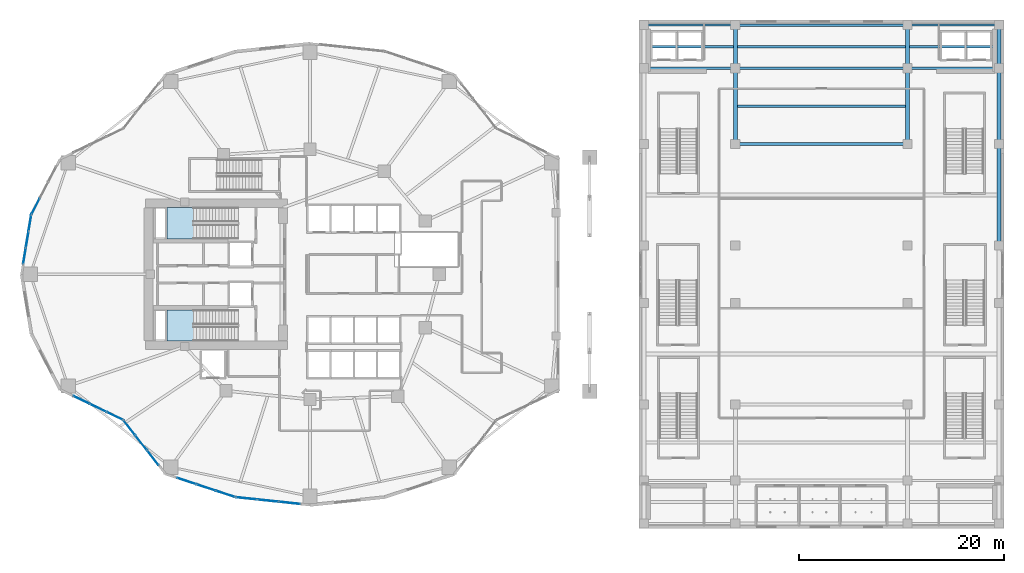
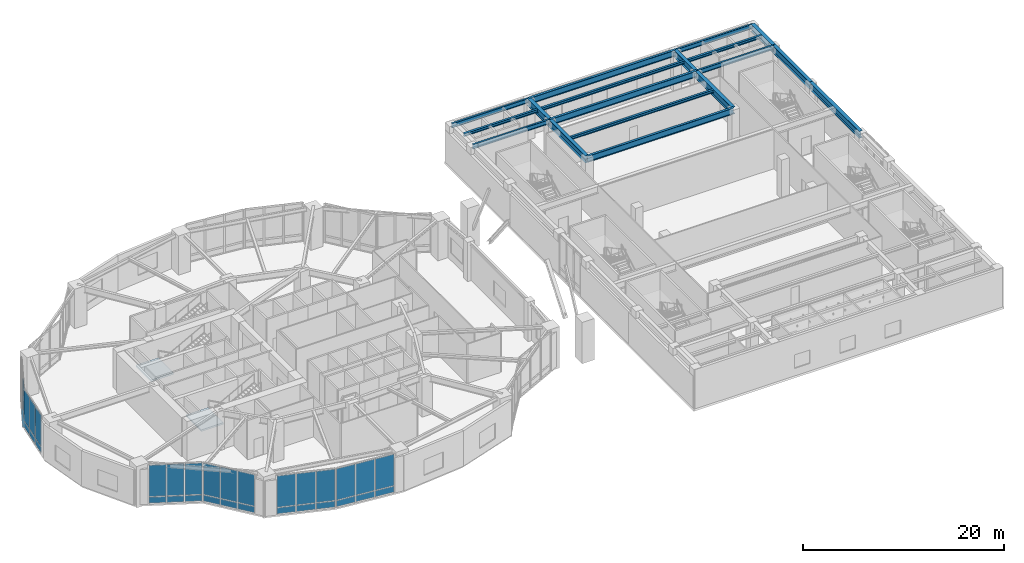
# One storey, part 10 of 24: 32 plates, 18 beams, 2 slabs, 8 elements without a shape of their own.
"""IFC4 building model written with IfcOpenShell, lengths in metres."""

from ifc_helpers import new_model, si_unit, direction, frame, origin, origin_2d, place, context, subcontext, project, spatial, polyline, rectangle, i_section, outline, extrude, material, layer, layer_set, material_profile, profile_set, type_object, element, aggregate, save


model = new_model("IFC4")

# Units and contexts
model_context = context("Model", 3, precision=1e-05, world=origin(), true_north=direction((0.0, 1.0)))
body_context = subcontext(model_context, "Body", "Model", "MODEL_VIEW")
ifc_project = project(units=[si_unit("LENGTHUNIT", "METRE"), si_unit("AREAUNIT", "SQUARE_METRE"), si_unit("VOLUMEUNIT", "CUBIC_METRE"), si_unit("PLANEANGLEUNIT", "RADIAN"), si_unit("MASSUNIT", "GRAM", prefix="KILO")], contexts=[model_context])

# Site, building, storey
site_placement = place(None, origin())
site = spatial("IfcSite", under=ifc_project, at=site_placement, CompositionType="ELEMENT")
building_placement = place(site_placement, origin())
building = spatial("IfcBuilding", under=site, at=building_placement, Name="Kolvaren Gate Tower and Convention Centre", CompositionType="ELEMENT")
storey_placement = place(building_placement, frame((0.0, 0.0, 10.0)))
storey = spatial("IfcBuildingStorey", under=building, at=storey_placement, Name="L02", CompositionType="ELEMENT", Elevation=10.0)

# Beams
ifc_material_1 = material(Name="Structural steel ASTM A992 Grade 345 MPa", Category="steel")
ifc_material_profile_1 = material_profile(ifc_material_1, i_section(OverallWidth=0.2119140625, OverallDepth=0.5439453125, WebThickness=0.01318359375, FlangeThickness=0.021240234375, at=origin_2d()), Name="W530X123")
ifc_profile_set_1 = profile_set([ifc_material_profile_1], Name="Structural steel ASTM A992 Grade 345 MPa")
beam_type_1 = type_object("IfcBeamType", Name="STR-BM-W530X123", PredefinedType="BEAM", material=ifc_profile_set_1)
for number, where, z_axis, x_axis, name in (
    (1, (62.699951171875, 47.10009765625, 4.488037109375), (1.0, 0.0, 0.0), (0.0, 1.0, 0.0), "Convention L02 Transverse Girder CTG-17"),
    (2, (88.39990234375, 47.10009765625, 4.488037109375), (1.0, 0.0, 0.0), (0.0, 1.0, 0.0), "Convention L02 Transverse Girder CTG-37"),
    (3, (62.699951171875, 51.300048828125, 4.488037109375), (1.0, 0.0, 0.0), (0.0, 1.0, 0.0), "Convention L02 Transverse Girder CTG-18"),
    (4, (88.39990234375, 51.300048828125, 4.488037109375), (1.0, 0.0, 0.0), (0.0, 1.0, 0.0), "Convention L02 Transverse Girder CTG-38"),
):
    element("IfcBeam", number, at=place(storey_placement, frame(where, z_axis=z_axis, x_axis=x_axis)), inside=storey, type_object=beam_type_1, Name=name, PredefinedType="BEAM", context=body_context, shape_type="SweptSolid", body=[
        extrude(i_section(OverallWidth=0.2119140625, OverallDepth=0.5439453125, WebThickness=0.01318359375, FlangeThickness=0.021240234375, at=origin_2d()), origin(), (0.0, 0.0, 1.0), 8.900146484375),
    ])
ifc_material_profile_2 = material_profile(ifc_material_1, i_section(OverallWidth=0.26806640625, OverallDepth=0.758056640625, WebThickness=0.016357421875, FlangeThickness=0.025390625, at=origin_2d()), Name="W760X220")
ifc_profile_set_2 = profile_set([ifc_material_profile_2], Name="Structural steel ASTM A992 Grade 345 MPa")
beam_type_2 = type_object("IfcBeamType", Name="STR-BM-W760X220", PredefinedType="BEAM", material=ifc_profile_set_2)
for number, where, z_axis, x_axis, name in (
    (5, (71.60009765625, 39.699951171875, 4.381103515625), (1.0, 0.0, 0.0), (0.0, 1.0, 0.0), "Convention L02 Transverse Girder CTG-26"),
    (6, (71.60009765625, 47.10009765625, 4.381103515625), (1.0, 0.0, 0.0), (0.0, 1.0, 0.0), "Convention L02 Transverse Girder CTG-27"),
    (7, (71.60009765625, 51.300048828125, 4.381103515625), (1.0, 0.0, 0.0), (0.0, 1.0, 0.0), "Convention L02 Transverse Girder CTG-28"),
):
    element("IfcBeam", number, at=place(storey_placement, frame(where, z_axis=z_axis, x_axis=x_axis)), inside=storey, type_object=beam_type_2, Name=name, PredefinedType="BEAM", context=body_context, shape_type="SweptSolid", body=[
        extrude(i_section(OverallWidth=0.26806640625, OverallDepth=0.758056640625, WebThickness=0.016357421875, FlangeThickness=0.025390625, at=origin_2d()), origin(), (0.0, 0.0, 1.0), 16.7998046875),
    ])
ifc_material_profile_3 = material_profile(ifc_material_1, i_section(OverallWidth=0.39990234375, OverallDepth=0.85498046875, WebThickness=0.018310546875, FlangeThickness=0.029296875, at=origin_2d()), Name="W840X299")
ifc_profile_set_3 = profile_set([ifc_material_profile_3], Name="Structural steel ASTM A992 Grade 345 MPa")
beam_type_3 = type_object("IfcBeamType", Name="STR-BM-W840X299", PredefinedType="BEAM", material=ifc_profile_set_3)
beam_1_placement = place(storey_placement, frame((71.60009765625, 39.699951171875, 4.33251953125), z_axis=(0.0, 1.0, 0.0), x_axis=(-1.0, 0.0, 0.0)))
element("IfcBeam", 8, at=beam_1_placement, inside=storey, type_object=beam_type_3, Name="Convention L02 Longitudinal Girder CG-26", PredefinedType="BEAM", context=body_context, shape_type="SweptSolid", body=[
    extrude(i_section(OverallWidth=0.39990234375, OverallDepth=0.85498046875, WebThickness=0.018310546875, FlangeThickness=0.029296875, at=origin_2d()), origin(), (0.0, 0.0, 1.0), 7.400146484375),
])
beam_2_placement = place(storey_placement, frame((71.60009765625, 47.10009765625, 4.33251953125), z_axis=(0.0, 1.0, 0.0), x_axis=(-1.0, 0.0, 0.0)))
element("IfcBeam", 9, at=beam_2_placement, inside=storey, type_object=beam_type_3, Name="Convention L02 Longitudinal Girder CG-27", PredefinedType="BEAM", context=body_context, shape_type="SweptSolid", body=[
    extrude(i_section(OverallWidth=0.39990234375, OverallDepth=0.85498046875, WebThickness=0.018310546875, FlangeThickness=0.029296875, at=origin_2d()), origin(), (0.0, 0.0, 1.0), 4.199951171875),
])
beam_3_placement = place(storey_placement, frame((88.39990234375, 39.699951171875, 4.33251953125), z_axis=(0.0, 1.0, 0.0), x_axis=(-1.0, 0.0, 0.0)))
element("IfcBeam", 10, at=beam_3_placement, inside=storey, type_object=beam_type_3, Name="Convention L02 Longitudinal Girder CG-36", PredefinedType="BEAM", context=body_context, shape_type="SweptSolid", body=[
    extrude(i_section(OverallWidth=0.39990234375, OverallDepth=0.85498046875, WebThickness=0.018310546875, FlangeThickness=0.029296875, at=origin_2d()), origin(), (0.0, 0.0, 1.0), 7.400146484375),
])
beam_4_placement = place(storey_placement, frame((88.39990234375, 47.10009765625, 4.33251953125), z_axis=(0.0, 1.0, 0.0), x_axis=(-1.0, 0.0, 0.0)))
element("IfcBeam", 11, at=beam_4_placement, inside=storey, type_object=beam_type_3, Name="Convention L02 Longitudinal Girder CG-37", PredefinedType="BEAM", context=body_context, shape_type="SweptSolid", body=[
    extrude(i_section(OverallWidth=0.39990234375, OverallDepth=0.85498046875, WebThickness=0.018310546875, FlangeThickness=0.029296875, at=origin_2d()), origin(), (0.0, 0.0, 1.0), 4.199951171875),
])
beam_5_placement = place(storey_placement, frame((97.300048828125, 29.800048828125, 4.33251953125), z_axis=(0.0, 1.0, 0.0), x_axis=(-1.0, 0.0, 0.0)))
element("IfcBeam", 12, at=beam_5_placement, inside=storey, type_object=beam_type_3, Name="Convention L02 Longitudinal Girder CG-45", PredefinedType="BEAM", context=body_context, shape_type="SweptSolid", body=[
    extrude(i_section(OverallWidth=0.39990234375, OverallDepth=0.85498046875, WebThickness=0.018310546875, FlangeThickness=0.029296875, at=origin_2d()), origin(), (0.0, 0.0, 1.0), 9.89990234375),
])
beam_6_placement = place(storey_placement, frame((97.300048828125, 39.699951171875, 4.33251953125), z_axis=(0.0, 1.0, 0.0), x_axis=(-1.0, 0.0, 0.0)))
element("IfcBeam", 13, at=beam_6_placement, inside=storey, type_object=beam_type_3, Name="Convention L02 Longitudinal Girder CG-46", PredefinedType="BEAM", context=body_context, shape_type="SweptSolid", body=[
    extrude(i_section(OverallWidth=0.39990234375, OverallDepth=0.85498046875, WebThickness=0.018310546875, FlangeThickness=0.029296875, at=origin_2d()), origin(), (0.0, 0.0, 1.0), 7.400146484375),
])
beam_7_placement = place(storey_placement, frame((97.300048828125, 47.10009765625, 4.33251953125), z_axis=(0.0, 1.0, 0.0), x_axis=(-1.0, 0.0, 0.0)))
element("IfcBeam", 14, at=beam_7_placement, inside=storey, type_object=beam_type_3, Name="Convention L02 Longitudinal Girder CG-47", PredefinedType="BEAM", context=body_context, shape_type="SweptSolid", body=[
    extrude(i_section(OverallWidth=0.39990234375, OverallDepth=0.85498046875, WebThickness=0.018310546875, FlangeThickness=0.029296875, at=origin_2d()), origin(), (0.0, 0.0, 1.0), 4.199951171875),
])
ifc_material_profile_4 = material_profile(ifc_material_1, i_section(OverallWidth=0.2548828125, OverallDepth=0.35693359375, WebThickness=0.010498046875, FlangeThickness=0.018310546875, at=origin_2d()), Name="W360X101")
ifc_profile_set_4 = profile_set([ifc_material_profile_4], Name="Structural steel ASTM A992 Grade 345 MPa")
beam_type_4 = type_object("IfcBeamType", Name="STR-JS-W360X101", PredefinedType="JOIST", material=ifc_profile_set_4)
beam_8_placement = place(storey_placement, frame((71.800048828125, 43.39990234375, 4.58154296875), z_axis=(1.0, 0.0, 0.0), x_axis=(0.0, 1.0, 0.0)))
element("IfcBeam", 15, at=beam_8_placement, inside=storey, type_object=beam_type_4, Name="Convention L02 Composite Floor Joist CJ-26", PredefinedType="JOIST", context=body_context, shape_type="SweptSolid", body=[
    extrude(i_section(OverallWidth=0.2548828125, OverallDepth=0.35693359375, WebThickness=0.010498046875, FlangeThickness=0.018310546875, at=origin_2d()), origin(), (0.0, 0.0, 1.0), 16.39990234375),
])
beam_9_placement = place(storey_placement, frame((62.89990234375, 49.199951171875, 4.58154296875), z_axis=(1.0, 0.0, 0.0), x_axis=(0.0, 1.0, 0.0)))
element("IfcBeam", 16, at=beam_9_placement, inside=storey, type_object=beam_type_4, Name="Convention L02 Composite Floor Joist CJ-17", PredefinedType="JOIST", context=body_context, shape_type="SweptSolid", body=[
    extrude(i_section(OverallWidth=0.2548828125, OverallDepth=0.35693359375, WebThickness=0.010498046875, FlangeThickness=0.018310546875, at=origin_2d()), origin(), (0.0, 0.0, 1.0), 8.5),
])
beam_10_placement = place(storey_placement, frame((71.800048828125, 49.199951171875, 4.58154296875), z_axis=(1.0, 0.0, 0.0), x_axis=(0.0, 1.0, 0.0)))
element("IfcBeam", 17, at=beam_10_placement, inside=storey, type_object=beam_type_4, Name="Convention L02 Composite Floor Joist CJ-27", PredefinedType="JOIST", context=body_context, shape_type="SweptSolid", body=[
    extrude(i_section(OverallWidth=0.2548828125, OverallDepth=0.35693359375, WebThickness=0.010498046875, FlangeThickness=0.018310546875, at=origin_2d()), origin(), (0.0, 0.0, 1.0), 16.39990234375),
])
beam_11_placement = place(storey_placement, frame((88.60009765625, 49.199951171875, 4.58154296875), z_axis=(1.0, 0.0, 0.0), x_axis=(0.0, 1.0, 0.0)))
element("IfcBeam", 18, at=beam_11_placement, inside=storey, type_object=beam_type_4, Name="Convention L02 Composite Floor Joist CJ-37", PredefinedType="JOIST", context=body_context, shape_type="SweptSolid", body=[
    extrude(i_section(OverallWidth=0.2548828125, OverallDepth=0.35693359375, WebThickness=0.010498046875, FlangeThickness=0.018310546875, at=origin_2d()), origin(), (0.0, 0.0, 1.0), 8.5),
])

# Curtain wall, plate
ifc_material_2 = material(Name="Anodized Architectural Aluminium Alloy 6063-T6", Category="aluminium")
ifc_layer_1 = layer(ifc_material_2, 0.179931640625)
ifc_layer_set_1 = layer_set([ifc_layer_1], Name="Anodized Architectural Aluminium Alloy 6063-T6")
curtain_wall_type = type_object("IfcCurtainWallType", Name="CW-POD-GLZ", PredefinedType="NOTDEFINED", material=ifc_layer_set_1)
curtain_wall_1_placement = place(storey_placement, origin())
curtain_wall_1 = element("IfcCurtainWall", 19, at=curtain_wall_1_placement, inside=storey, type_object=curtain_wall_type, Name="Tower L02 Unitised Curtain Wall CW-POD-GLZ Bay 10", PredefinedType="NOTDEFINED")
ifc_material_3 = material(Name="Low-E Triple Insulated Glazing Unit 44 mm", Category="glass")
ifc_layer_2 = layer(ifc_material_3, 0.0439453125)
ifc_layer_set_2 = layer_set([ifc_layer_2], Name="Low-E Triple Insulated Glazing Unit 44 mm")
plate_type_1 = type_object("IfcPlateType", Name="CW-PL-IGU-44", PredefinedType="CURTAIN_PANEL", material=ifc_layer_set_2)
plate_1_placement = place(storey_placement, frame((3.373779296875, 33.625732421875, 0.88720703125), z_axis=(0.0, 0.0, 1.0), x_axis=(0.459789264949, 0.888028058024, 0.0)))
plate_1 = element("IfcPlate", 20, at=plate_1_placement, type_object=plate_type_1, Name="CW-01 panel 1.2", PredefinedType="CURTAIN_PANEL", context=body_context, shape_type="SweptSolid", body=[
    extrude(rectangle(XDim=1.6572265625, YDim=0.0439453125, at=origin_2d()), origin(), (0.0, 0.0, 1.0), 3.797607421875),
])

# Curtain wall, plates
curtain_wall_2_placement = place(storey_placement, origin())
curtain_wall_2 = element("IfcCurtainWall", 21, at=curtain_wall_2_placement, inside=storey, type_object=curtain_wall_type, Name="Tower L02 Unitised Curtain Wall CW-POD-GLZ Bay 11", PredefinedType="NOTDEFINED")
plate_2_placement = place(storey_placement, frame((2.295166015625, 28.793212890625, 0.88720703125), z_axis=(0.0, 0.0, 1.0), x_axis=(0.162376449454, 0.986728883059, 0.0)))
plate_2 = element("IfcPlate", 22, at=plate_2_placement, type_object=plate_type_1, Name="CW-01 panel 1.2", PredefinedType="CURTAIN_PANEL", context=body_context, shape_type="SweptSolid", body=[
    extrude(rectangle(XDim=1.52880859375, YDim=0.0439453125, at=origin_2d()), origin(), (0.0, 0.0, 1.0), 3.797607421875),
])
plate_3_placement = place(storey_placement, frame((2.55859375, 30.394287109375, 0.88720703125), z_axis=(0.0, 0.0, 1.0), x_axis=(0.162376449454, 0.986728883059, 0.0)))
plate_3 = element("IfcPlate", 23, at=plate_3_placement, type_object=plate_type_1, Name="CW-01 panel 2.2", PredefinedType="CURTAIN_PANEL", context=body_context, shape_type="SweptSolid", body=[
    extrude(rectangle(XDim=1.566162109375, YDim=0.0439453125, at=origin_2d()), origin(), (0.0, 0.0, 1.0), 3.797607421875),
])
plate_4_placement = place(storey_placement, frame((2.822021484375, 31.9951171875, 0.88720703125), z_axis=(0.0, 0.0, 1.0), x_axis=(0.162376449454, 0.986728883059, 0.0)))
plate_4 = element("IfcPlate", 24, at=plate_4_placement, type_object=plate_type_1, Name="CW-01 panel 3.2", PredefinedType="CURTAIN_PANEL", context=body_context, shape_type="SweptSolid", body=[
    extrude(rectangle(XDim=1.52880859375, YDim=0.0439453125, at=origin_2d()), origin(), (0.0, 0.0, 1.0), 3.797607421875),
])

curtain_wall_3_placement = place(storey_placement, origin())
curtain_wall_3 = element("IfcCurtainWall", 25, at=curtain_wall_3_placement, inside=storey, type_object=curtain_wall_type, Name="Tower L02 Unitised Curtain Wall CW-POD-GLZ Bay 14", PredefinedType="NOTDEFINED")
plate_5_placement = place(storey_placement, frame((7.85009765625, 14.749755859375, 0.88720703125), z_axis=(0.0, 0.0, 1.0), x_axis=(0.901366679942, -0.433056703319, 0.0)))
plate_5 = element("IfcPlate", 26, at=plate_5_placement, type_object=plate_type_1, Name="CW-01 panel 1.2", PredefinedType="CURTAIN_PANEL", context=body_context, shape_type="SweptSolid", body=[
    extrude(rectangle(XDim=1.707763671875, YDim=0.0439453125, at=origin_2d()), origin(), (0.0, 0.0, 1.0), 3.797607421875),
])
plate_6_placement = place(storey_placement, frame((9.4736328125, 13.969482421875, 0.88720703125), z_axis=(0.0, 0.0, 1.0), x_axis=(0.901366679942, -0.433056703319, 0.0)))
plate_6 = element("IfcPlate", 27, at=plate_6_placement, type_object=plate_type_1, Name="CW-01 panel 2.2", PredefinedType="CURTAIN_PANEL", context=body_context, shape_type="SweptSolid", body=[
    extrude(rectangle(XDim=1.7451171875, YDim=0.0439453125, at=origin_2d()), origin(), (0.0, 0.0, 1.0), 3.797607421875),
])
plate_7_placement = place(storey_placement, frame((11.097412109375, 13.189453125, 0.88720703125), z_axis=(0.0, 0.0, 1.0), x_axis=(0.901366679942, -0.433056703319, 0.0)))
plate_7 = element("IfcPlate", 28, at=plate_7_placement, type_object=plate_type_1, Name="CW-01 panel 3.2", PredefinedType="CURTAIN_PANEL", context=body_context, shape_type="SweptSolid", body=[
    extrude(rectangle(XDim=1.707763671875, YDim=0.0439453125, at=origin_2d()), origin(), (0.0, 0.0, 1.0), 3.797607421875),
])

curtain_wall_4_placement = place(storey_placement, origin())
curtain_wall_4 = element("IfcCurtainWall", 29, at=curtain_wall_4_placement, inside=storey, type_object=curtain_wall_type, Name="Tower L02 Unitised Curtain Wall CW-POD-GLZ Bay 15", PredefinedType="NOTDEFINED")
plate_8_placement = place(storey_placement, frame((12.523681640625, 12.034912109375, 0.88720703125), z_axis=(0.0, 0.0, 1.0), x_axis=(0.616421003276, -0.787416755422, 0.0)))
plate_8 = element("IfcPlate", 30, at=plate_8_placement, type_object=plate_type_1, Name="CW-01 panel 1.2", PredefinedType="CURTAIN_PANEL", context=body_context, shape_type="SweptSolid", body=[
    extrude(rectangle(XDim=1.7607421875, YDim=0.0439453125, at=origin_2d()), origin(), (0.0, 0.0, 1.0), 3.797607421875),
])
plate_9_placement = place(storey_placement, frame((13.666748046875, 10.574462890625, 0.88720703125), z_axis=(0.0, 0.0, 1.0), x_axis=(0.616421003276, -0.787416755422, 0.0)))
plate_9 = element("IfcPlate", 31, at=plate_9_placement, type_object=plate_type_1, Name="CW-01 panel 2.2", PredefinedType="CURTAIN_PANEL", context=body_context, shape_type="SweptSolid", body=[
    extrude(rectangle(XDim=1.79833984375, YDim=0.0439453125, at=origin_2d()), origin(), (0.0, 0.0, 1.0), 3.797607421875),
])
plate_10_placement = place(storey_placement, frame((14.81005859375, 9.1142578125, 0.88720703125), z_axis=(0.0, 0.0, 1.0), x_axis=(0.616421003276, -0.787416755422, 0.0)))
plate_10 = element("IfcPlate", 32, at=plate_10_placement, type_object=plate_type_1, Name="CW-01 panel 3.2", PredefinedType="CURTAIN_PANEL", context=body_context, shape_type="SweptSolid", body=[
    extrude(rectangle(XDim=1.7607421875, YDim=0.0439453125, at=origin_2d()), origin(), (0.0, 0.0, 1.0), 3.797607421875),
])

curtain_wall_5_placement = place(storey_placement, origin())
curtain_wall_5 = element("IfcCurtainWall", 33, at=curtain_wall_5_placement, inside=storey, type_object=curtain_wall_type, Name="Tower L02 Unitised Curtain Wall CW-POD-GLZ Bay 16", PredefinedType="NOTDEFINED")
plate_11_placement = place(storey_placement, frame((18.076904296875, 6.846923828125, 0.88720703125), z_axis=(0.0, 0.0, 1.0), x_axis=(0.949242053404, -0.314546537175, 0.0)))
plate_11 = element("IfcPlate", 34, at=plate_11_placement, type_object=plate_type_1, Name="CW-01 panel 1.2", PredefinedType="CURTAIN_PANEL", context=body_context, shape_type="SweptSolid", body=[
    extrude(rectangle(XDim=1.904541015625, YDim=0.0439453125, at=origin_2d()), origin(), (0.0, 0.0, 1.0), 3.797607421875),
])
plate_12_placement = place(storey_placement, frame((19.973876953125, 6.21826171875, 0.88720703125), z_axis=(0.0, 0.0, 1.0), x_axis=(0.949242053404, -0.314546537175, 0.0)))
plate_12 = element("IfcPlate", 35, at=plate_12_placement, type_object=plate_type_1, Name="CW-01 panel 2.2", PredefinedType="CURTAIN_PANEL", context=body_context, shape_type="SweptSolid", body=[
    extrude(rectangle(XDim=1.94189453125, YDim=0.0439453125, at=origin_2d()), origin(), (0.0, 0.0, 1.0), 3.797607421875),
])
plate_13_placement = place(storey_placement, frame((21.87060546875, 5.58984375, 0.88720703125), z_axis=(0.0, 0.0, 1.0), x_axis=(0.949242053404, -0.314546537175, 0.0)))
plate_13 = element("IfcPlate", 36, at=plate_13_placement, type_object=plate_type_1, Name="CW-01 panel 3.2", PredefinedType="CURTAIN_PANEL", context=body_context, shape_type="SweptSolid", body=[
    extrude(rectangle(XDim=1.904541015625, YDim=0.0439453125, at=origin_2d()), origin(), (0.0, 0.0, 1.0), 3.797607421875),
])

curtain_wall_6_placement = place(storey_placement, origin())
curtain_wall_6 = element("IfcCurtainWall", 37, at=curtain_wall_6_placement, inside=storey, type_object=curtain_wall_type, Name="Tower L02 Unitised Curtain Wall CW-POD-GLZ Bay 17", PredefinedType="NOTDEFINED")
plate_14_placement = place(storey_placement, frame((23.923583984375, 5.153076171875, 0.88720703125), z_axis=(0.0, 0.0, 1.0), x_axis=(0.994499449653, -0.104741799872, 0.0)))
plate_14 = element("IfcPlate", 38, at=plate_14_placement, type_object=plate_type_1, Name="CW-01 panel 1.2", PredefinedType="CURTAIN_PANEL", context=body_context, shape_type="SweptSolid", body=[
    extrude(rectangle(XDim=2.017822265625, YDim=0.0439453125, at=origin_2d()), origin(), (0.0, 0.0, 1.0), 3.797607421875),
])
plate_15_placement = place(storey_placement, frame((26.023681640625, 4.931884765625, 0.88720703125), z_axis=(0.0, 0.0, 1.0), x_axis=(0.994499449653, -0.104741799872, 0.0)))
plate_15 = element("IfcPlate", 39, at=plate_15_placement, type_object=plate_type_1, Name="CW-01 panel 2.2", PredefinedType="CURTAIN_PANEL", context=body_context, shape_type="SweptSolid", body=[
    extrude(rectangle(XDim=2.055419921875, YDim=0.0439453125, at=origin_2d()), origin(), (0.0, 0.0, 1.0), 3.797607421875),
])
plate_16_placement = place(storey_placement, frame((28.12353515625, 4.7109375, 0.88720703125), z_axis=(0.0, 0.0, 1.0), x_axis=(0.994499449653, -0.104741799872, 0.0)))
plate_16 = element("IfcPlate", 40, at=plate_16_placement, type_object=plate_type_1, Name="CW-01 panel 3.2", PredefinedType="CURTAIN_PANEL", context=body_context, shape_type="SweptSolid", body=[
    extrude(rectangle(XDim=2.017822265625, YDim=0.0439453125, at=origin_2d()), origin(), (0.0, 0.0, 1.0), 3.797607421875),
])

# Plate
ifc_material_4 = material(Name="Solar-Control Laminated Curtain Glazing 36 mm", Category="glass")
ifc_layer_3 = layer(ifc_material_4, 0.035888671875)
ifc_layer_set_3 = layer_set([ifc_layer_3], Name="Solar-Control Laminated Curtain Glazing 36 mm")
plate_type_2 = type_object("IfcPlateType", Name="CW-PL-SPAN-36", PredefinedType="CURTAIN_PANEL", material=ifc_layer_set_3)
plate_17_placement = place(storey_placement, frame((3.373779296875, 33.625732421875, 0.0751953125), z_axis=(0.0, 0.0, 1.0), x_axis=(0.459789264949, 0.888028058024, 0.0)))
plate_17 = element("IfcPlate", 41, at=plate_17_placement, type_object=plate_type_2, Name="CW-01 panel 1.1", PredefinedType="CURTAIN_PANEL", context=body_context, shape_type="SweptSolid", body=[
    extrude(rectangle(XDim=1.6572265625, YDim=0.035888671875, at=origin_2d()), origin(), (0.0, 0.0, 1.0), 0.737548828125),
])

aggregate(curtain_wall_1, [plate_17, plate_1])

plate_18_placement = place(storey_placement, frame((2.295166015625, 28.793212890625, 0.0751953125), z_axis=(0.0, 0.0, 1.0), x_axis=(0.162376449454, 0.986728883059, 0.0)))
plate_18 = element("IfcPlate", 42, at=plate_18_placement, type_object=plate_type_2, Name="CW-01 panel 1.1", PredefinedType="CURTAIN_PANEL", context=body_context, shape_type="SweptSolid", body=[
    extrude(rectangle(XDim=1.52880859375, YDim=0.035888671875, at=origin_2d()), origin(), (0.0, 0.0, 1.0), 0.737548828125),
])

plate_19_placement = place(storey_placement, frame((2.55859375, 30.394287109375, 0.0751953125), z_axis=(0.0, 0.0, 1.0), x_axis=(0.162376449454, 0.986728883059, 0.0)))
plate_19 = element("IfcPlate", 43, at=plate_19_placement, type_object=plate_type_2, Name="CW-01 panel 2.1", PredefinedType="CURTAIN_PANEL", context=body_context, shape_type="SweptSolid", body=[
    extrude(rectangle(XDim=1.566162109375, YDim=0.035888671875, at=origin_2d()), origin(), (0.0, 0.0, 1.0), 0.737548828125),
])

plate_20_placement = place(storey_placement, frame((2.822021484375, 31.9951171875, 0.0751953125), z_axis=(0.0, 0.0, 1.0), x_axis=(0.162376449454, 0.986728883059, 0.0)))
plate_20 = element("IfcPlate", 44, at=plate_20_placement, type_object=plate_type_2, Name="CW-01 panel 3.1", PredefinedType="CURTAIN_PANEL", context=body_context, shape_type="SweptSolid", body=[
    extrude(rectangle(XDim=1.52880859375, YDim=0.035888671875, at=origin_2d()), origin(), (0.0, 0.0, 1.0), 0.737548828125),
])

aggregate(curtain_wall_2, [plate_18, plate_2, plate_19, plate_3, plate_20, plate_4])

plate_21_placement = place(storey_placement, frame((7.85009765625, 14.749755859375, 0.0751953125), z_axis=(0.0, 0.0, 1.0), x_axis=(0.901366679942, -0.433056703319, 0.0)))
plate_21 = element("IfcPlate", 45, at=plate_21_placement, type_object=plate_type_2, Name="CW-01 panel 1.1", PredefinedType="CURTAIN_PANEL", context=body_context, shape_type="SweptSolid", body=[
    extrude(rectangle(XDim=1.707763671875, YDim=0.035888671875, at=origin_2d()), origin(), (0.0, 0.0, 1.0), 0.737548828125),
])

plate_22_placement = place(storey_placement, frame((9.4736328125, 13.969482421875, 0.0751953125), z_axis=(0.0, 0.0, 1.0), x_axis=(0.901366679942, -0.433056703319, 0.0)))
plate_22 = element("IfcPlate", 46, at=plate_22_placement, type_object=plate_type_2, Name="CW-01 panel 2.1", PredefinedType="CURTAIN_PANEL", context=body_context, shape_type="SweptSolid", body=[
    extrude(rectangle(XDim=1.7451171875, YDim=0.035888671875, at=origin_2d()), origin(), (0.0, 0.0, 1.0), 0.737548828125),
])

plate_23_placement = place(storey_placement, frame((11.097412109375, 13.189453125, 0.0751953125), z_axis=(0.0, 0.0, 1.0), x_axis=(0.901366679942, -0.433056703319, 0.0)))
plate_23 = element("IfcPlate", 47, at=plate_23_placement, type_object=plate_type_2, Name="CW-01 panel 3.1", PredefinedType="CURTAIN_PANEL", context=body_context, shape_type="SweptSolid", body=[
    extrude(rectangle(XDim=1.707763671875, YDim=0.035888671875, at=origin_2d()), origin(), (0.0, 0.0, 1.0), 0.737548828125),
])

aggregate(curtain_wall_3, [plate_21, plate_5, plate_22, plate_6, plate_23, plate_7])

plate_24_placement = place(storey_placement, frame((12.523681640625, 12.034912109375, 0.0751953125), z_axis=(0.0, 0.0, 1.0), x_axis=(0.616421003276, -0.787416755422, 0.0)))
plate_24 = element("IfcPlate", 48, at=plate_24_placement, type_object=plate_type_2, Name="CW-01 panel 1.1", PredefinedType="CURTAIN_PANEL", context=body_context, shape_type="SweptSolid", body=[
    extrude(rectangle(XDim=1.7607421875, YDim=0.035888671875, at=origin_2d()), origin(), (0.0, 0.0, 1.0), 0.737548828125),
])

plate_25_placement = place(storey_placement, frame((13.666748046875, 10.574462890625, 0.0751953125), z_axis=(0.0, 0.0, 1.0), x_axis=(0.616421003276, -0.787416755422, 0.0)))
plate_25 = element("IfcPlate", 49, at=plate_25_placement, type_object=plate_type_2, Name="CW-01 panel 2.1", PredefinedType="CURTAIN_PANEL", context=body_context, shape_type="SweptSolid", body=[
    extrude(rectangle(XDim=1.79833984375, YDim=0.035888671875, at=origin_2d()), origin(), (0.0, 0.0, 1.0), 0.737548828125),
])

plate_26_placement = place(storey_placement, frame((14.81005859375, 9.1142578125, 0.0751953125), z_axis=(0.0, 0.0, 1.0), x_axis=(0.616421003276, -0.787416755422, 0.0)))
plate_26 = element("IfcPlate", 50, at=plate_26_placement, type_object=plate_type_2, Name="CW-01 panel 3.1", PredefinedType="CURTAIN_PANEL", context=body_context, shape_type="SweptSolid", body=[
    extrude(rectangle(XDim=1.7607421875, YDim=0.035888671875, at=origin_2d()), origin(), (0.0, 0.0, 1.0), 0.737548828125),
])

aggregate(curtain_wall_4, [plate_24, plate_8, plate_25, plate_9, plate_26, plate_10])

plate_27_placement = place(storey_placement, frame((18.076904296875, 6.846923828125, 0.0751953125), z_axis=(0.0, 0.0, 1.0), x_axis=(0.949242053404, -0.314546537175, 0.0)))
plate_27 = element("IfcPlate", 51, at=plate_27_placement, type_object=plate_type_2, Name="CW-01 panel 1.1", PredefinedType="CURTAIN_PANEL", context=body_context, shape_type="SweptSolid", body=[
    extrude(rectangle(XDim=1.904541015625, YDim=0.035888671875, at=origin_2d()), origin(), (0.0, 0.0, 1.0), 0.737548828125),
])

plate_28_placement = place(storey_placement, frame((19.973876953125, 6.21826171875, 0.0751953125), z_axis=(0.0, 0.0, 1.0), x_axis=(0.949242053404, -0.314546537175, 0.0)))
plate_28 = element("IfcPlate", 52, at=plate_28_placement, type_object=plate_type_2, Name="CW-01 panel 2.1", PredefinedType="CURTAIN_PANEL", context=body_context, shape_type="SweptSolid", body=[
    extrude(rectangle(XDim=1.94189453125, YDim=0.035888671875, at=origin_2d()), origin(), (0.0, 0.0, 1.0), 0.737548828125),
])

plate_29_placement = place(storey_placement, frame((21.87060546875, 5.58984375, 0.0751953125), z_axis=(0.0, 0.0, 1.0), x_axis=(0.949242053404, -0.314546537175, 0.0)))
plate_29 = element("IfcPlate", 53, at=plate_29_placement, type_object=plate_type_2, Name="CW-01 panel 3.1", PredefinedType="CURTAIN_PANEL", context=body_context, shape_type="SweptSolid", body=[
    extrude(rectangle(XDim=1.904541015625, YDim=0.035888671875, at=origin_2d()), origin(), (0.0, 0.0, 1.0), 0.737548828125),
])

aggregate(curtain_wall_5, [plate_27, plate_11, plate_28, plate_12, plate_29, plate_13])

plate_30_placement = place(storey_placement, frame((23.923583984375, 5.153076171875, 0.0751953125), z_axis=(0.0, 0.0, 1.0), x_axis=(0.994499449653, -0.104741799872, 0.0)))
plate_30 = element("IfcPlate", 54, at=plate_30_placement, type_object=plate_type_2, Name="CW-01 panel 1.1", PredefinedType="CURTAIN_PANEL", context=body_context, shape_type="SweptSolid", body=[
    extrude(rectangle(XDim=2.017822265625, YDim=0.035888671875, at=origin_2d()), origin(), (0.0, 0.0, 1.0), 0.737548828125),
])

plate_31_placement = place(storey_placement, frame((26.023681640625, 4.931884765625, 0.0751953125), z_axis=(0.0, 0.0, 1.0), x_axis=(0.994499449653, -0.104741799872, 0.0)))
plate_31 = element("IfcPlate", 55, at=plate_31_placement, type_object=plate_type_2, Name="CW-01 panel 2.1", PredefinedType="CURTAIN_PANEL", context=body_context, shape_type="SweptSolid", body=[
    extrude(rectangle(XDim=2.055419921875, YDim=0.035888671875, at=origin_2d()), origin(), (0.0, 0.0, 1.0), 0.737548828125),
])

plate_32_placement = place(storey_placement, frame((28.12353515625, 4.7109375, 0.0751953125), z_axis=(0.0, 0.0, 1.0), x_axis=(0.994499449653, -0.104741799872, 0.0)))
plate_32 = element("IfcPlate", 56, at=plate_32_placement, type_object=plate_type_2, Name="CW-01 panel 3.1", PredefinedType="CURTAIN_PANEL", context=body_context, shape_type="SweptSolid", body=[
    extrude(rectangle(XDim=2.017822265625, YDim=0.035888671875, at=origin_2d()), origin(), (0.0, 0.0, 1.0), 0.737548828125),
])

aggregate(curtain_wall_6, [plate_30, plate_14, plate_31, plate_15, plate_32, plate_16])

# Stair, slab
ifc_material_5 = material(Name="Concrete C50/60", Category="concrete")
stair_type = type_object("IfcStairType", Name="STR-STAIR-CORE", PredefinedType="HALF_TURN_STAIR", material=ifc_material_5)
stair_1_placement = place(storey_placement, origin())
stair_1 = element("IfcStair", 57, at=stair_1_placement, inside=storey, type_object=stair_type, Name="L02 Tower North Exit Stair ST-T1", PredefinedType="HALF_TURN_STAIR")
ifc_layer_4 = layer(ifc_material_5, 0.199951171875)
ifc_layer_set_4 = layer_set([ifc_layer_4], Name="Concrete C50/60")
slab_type = type_object("IfcSlabType", Name="STR-SL-LAND-200", PredefinedType="LANDING", material=ifc_layer_set_4)
slab_1_placement = place(storey_placement, frame((0.0, 0.0, 2.300048828125)))
slab_1 = element("IfcSlab", 58, at=slab_1_placement, type_object=slab_type, Name="ST-T1 landing 1", PredefinedType="LANDING", context=body_context, shape_type="SweptSolid", body=[
    extrude(outline(polyline([(18.760009765625, 33.5), (16.199951171875, 33.5), (16.199951171875, 30.4599609375), (18.760009765625, 30.4599609375), (18.760009765625, 33.5)])), origin(), (0.0, 0.0, 1.0), 0.199951171875),
])
aggregate(stair_1, [slab_1])

stair_2_placement = place(storey_placement, origin())
stair_2 = element("IfcStair", 59, at=stair_2_placement, inside=storey, type_object=stair_type, Name="L02 Tower South Exit Stair ST-T2", PredefinedType="HALF_TURN_STAIR")
slab_2_placement = place(storey_placement, frame((0.0, 0.0, 2.300048828125)))
slab_2 = element("IfcSlab", 60, at=slab_2_placement, type_object=slab_type, Name="ST-T2 landing 1", PredefinedType="LANDING", context=body_context, shape_type="SweptSolid", body=[
    extrude(outline(polyline([(18.760009765625, 23.5400390625), (16.199951171875, 23.5400390625), (16.199951171875, 20.5), (18.760009765625, 20.5), (18.760009765625, 23.5400390625)])), origin(), (0.0, 0.0, 1.0), 0.199951171875),
])
aggregate(stair_2, [slab_2])

save(model, "model.ifc")
